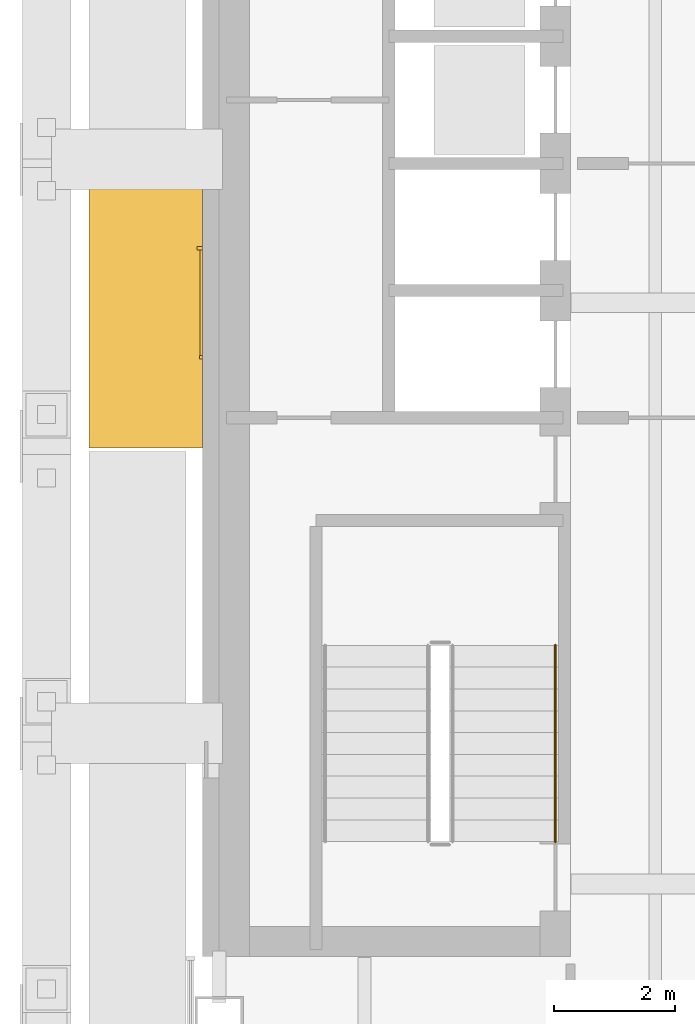
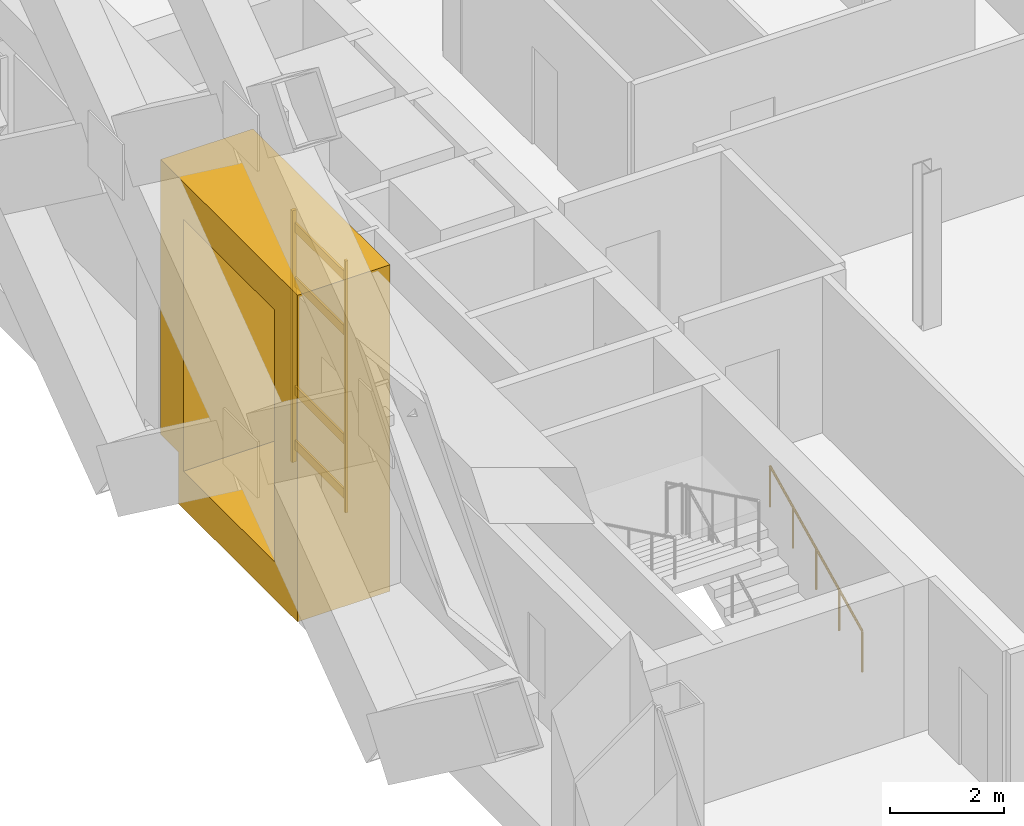
# One storey, part 19 of 25: 7 coverings, 1 railing.
"""IFC4 building model written with IfcOpenShell, lengths in metres."""

from ifc_helpers import new_model, si_unit, direction, frame, origin, origin_2d, place, context, subcontext, project, spatial, polyline, rectangle, circle, outline, extrude, material, type_object, element, save


model = new_model("IFC4")

# Units and contexts
model_context = context("Model", 3, precision=1e-05, world=origin(), true_north=direction((0.0, 1.0)))
body_context = subcontext(model_context, "Body", "Model", "MODEL_VIEW")
ifc_project = project(units=[si_unit("LENGTHUNIT", "METRE"), si_unit("AREAUNIT", "SQUARE_METRE"), si_unit("VOLUMEUNIT", "CUBIC_METRE"), si_unit("PLANEANGLEUNIT", "RADIAN"), si_unit("MASSUNIT", "GRAM", prefix="KILO")], contexts=[model_context])

# Site, building, storey
site_placement = place(None, origin())
site = spatial("IfcSite", under=ifc_project, at=site_placement, CompositionType="ELEMENT")
building_placement = place(site_placement, origin())
building = spatial("IfcBuilding", under=site, at=building_placement, Name="Cobrizo Arcos Hotel Tower", CompositionType="ELEMENT")
storey_placement = place(building_placement, frame((0.0, 0.0, 148.0)))
storey = spatial("IfcBuildingStorey", under=building, at=storey_placement, Name="L37", CompositionType="ELEMENT", Elevation=148.0)

# Coverings
ifc_material_1 = material(Name="Aluminium 6063-T6 anodised bronze", Category="aluminium")
covering_type_1 = type_object("IfcCoveringType", Name="FIN-F 1875", PredefinedType="CLADDING", material=ifc_material_1)
covering_1_placement = place(storey_placement, frame((-21.875, 2.403564453125, 0.0), z_axis=(-1.0, 0.0, 0.0), x_axis=(0.0, -1.0, 0.0)))
element("IfcCovering", 1, at=covering_1_placement, inside=storey, type_object=covering_type_1, Name="Fin frame 263", PredefinedType="CLADDING", context=body_context, shape_type="SweptSolid", body=[
    extrude(outline(polyline([(0.0, 7.0), (0.0, 1.10205078125), (0.63427734375, 1.10205078125), (0.63427734375, 0.0), (4.80712890625, 0.0), (4.80712890625, 7.0), (0.0, 7.0)]), holes=[polyline([(4.007080078125, 0.800048828125), (0.800048828125, 0.800048828125), (0.800048828125, 6.199951171875), (4.007080078125, 6.199951171875), (4.007080078125, 0.800048828125)])]), origin(), (0.0, 0.0, 1.0), 1.875),
])
ifc_material_2 = material(Name="Aluminium 6063-T6 anodised pale", Category="aluminium")
covering_type_2 = type_object("IfcCoveringType", Name="RS-1 rainscreen rib 60x90", PredefinedType="CLADDING", material=ifc_material_2)
covering_2_placement = place(storey_placement, frame((-21.919921875, 0.89990234375, 0.800048828125), z_axis=(0.0, 0.0, 1.0), x_axis=(0.0, -1.0, 0.0)))
element("IfcCovering", 2, at=covering_2_placement, inside=storey, type_object=covering_type_2, Name="Rainscreen rib 181", PredefinedType="CLADDING", context=body_context, shape_type="SweptSolid", body=[
    extrude(rectangle(XDim=0.06005859375, YDim=0.090087890625, at=origin_2d()), origin(), (0.0, 0.0, 1.0), 5.39990234375),
])
covering_type_3 = type_object("IfcCoveringType", Name="RS-2 rainscreen rib 60x50", PredefinedType="CLADDING", material=ifc_material_2)
covering_3_placement = place(storey_placement, frame((-21.89990234375, -0.89990234375, 0.800048828125), z_axis=(0.0, 0.0, 1.0), x_axis=(0.0, -1.0, 0.0)))
element("IfcCovering", 3, at=covering_3_placement, inside=storey, type_object=covering_type_3, Name="Rainscreen rib 182", PredefinedType="CLADDING", context=body_context, shape_type="SweptSolid", body=[
    extrude(rectangle(XDim=0.06005859375, YDim=0.050048828125, at=origin_2d()), origin(), (0.0, 0.0, 1.0), 5.39990234375),
])
covering_type_4 = type_object("IfcCoveringType", Name="RS-3 rainscreen louvre slat 200x40", PredefinedType="CLADDING", material=ifc_material_2)
for number, where, z_axis, x_axis, name in (
    (4, (-21.89501953125, 0.0, 1.06689453125), (0.0, 0.0, 1.0), (0.0, -1.0, 0.0), "Rainscreen slat 31"),
    (5, (-21.89501953125, 0.0, 2.2333984375), (0.0, 0.0, 1.0), (0.0, -1.0, 0.0), "Rainscreen slat 32"),
    (6, (-21.89501953125, 0.0, 4.56689453125), (0.0, 0.0, 1.0), (0.0, -1.0, 0.0), "Rainscreen slat 33"),
    (7, (-21.89501953125, 0.0, 5.7333984375), (0.0, 0.0, 1.0), (0.0, -1.0, 0.0), "Rainscreen slat 34"),
):
    element("IfcCovering", number, at=place(storey_placement, frame(where, z_axis=z_axis, x_axis=x_axis)), inside=storey, type_object=covering_type_4, Name=name, PredefinedType="CLADDING", context=body_context, shape_type="SweptSolid", body=[
        extrude(rectangle(XDim=1.739990234375, YDim=0.0400390625, at=origin_2d()), origin(), (0.0, 0.0, 1.0), 0.199951171875),
    ])

# Railing
ifc_material_3 = material(Name="Stainless steel railing", Category="steel")
railing_type = type_object("IfcRailingType", Name="Stair handrail", PredefinedType="HANDRAIL", material=ifc_material_3)
railing_placement = place(storey_placement, frame((-16.050048828125, -8.89990234375, 0.175048828125)))
element("IfcRailing", 8, at=railing_placement, inside=storey, type_object=railing_type, Name="L37 ST-W stair handrail 1", PredefinedType="HANDRAIL", context=body_context, shape_type="SweptSolid", body=[
    extrude(circle(Radius=0.02392578125, at=origin_2d()), frame((0.0, 0.0, 0.8759765625), z_axis=(0.0, 0.899372665325, 0.437182809435), x_axis=(-1.0, 0.0, 0.0)), (0.0, 0.0, 1.0), 3.6025390625),
    extrude(circle(Radius=0.02099609375, at=origin_2d()), origin(), (0.0, 0.0, 1.0), 0.851806640625),
    extrude(circle(Radius=0.02099609375, at=origin_2d()), frame((0.0, 0.81005859375, 0.393798828125)), (0.0, 0.0, 1.0), 0.851806640625),
    extrude(circle(Radius=0.02099609375, at=origin_2d()), frame((0.0, 1.6201171875, 0.78759765625)), (0.0, 0.0, 1.0), 0.851806640625),
    extrude(circle(Radius=0.02099609375, at=origin_2d()), frame((0.0, 2.429931640625, 1.18115234375)), (0.0, 0.0, 1.0), 0.851806640625),
    extrude(circle(Radius=0.02099609375, at=origin_2d()), frame((0.0, 3.239990234375, 1.574951171875)), (0.0, 0.0, 1.0), 0.851806640625),
])

save(model, "model.ifc")
